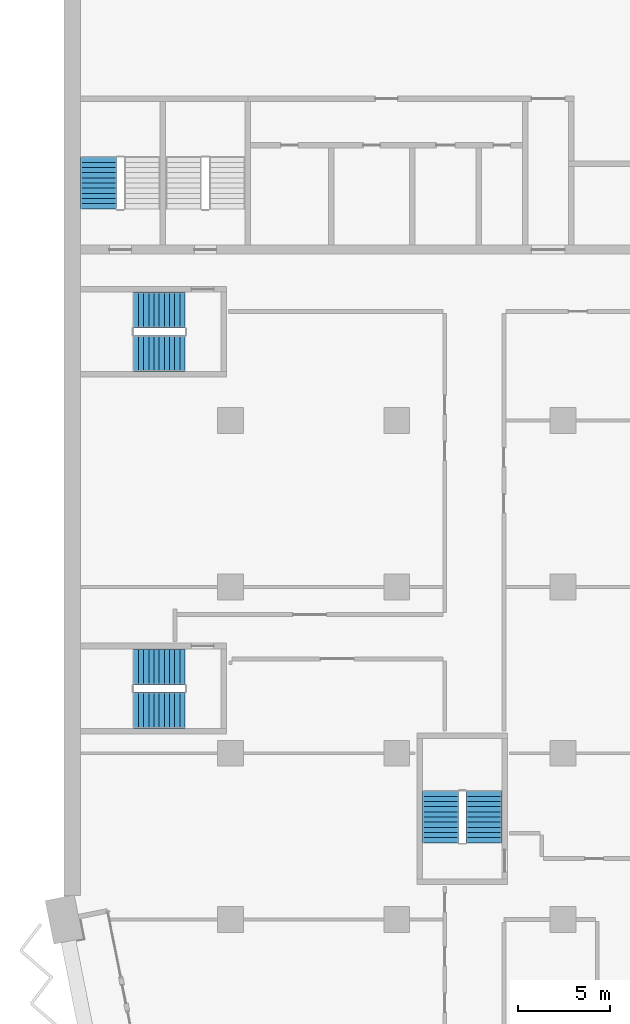
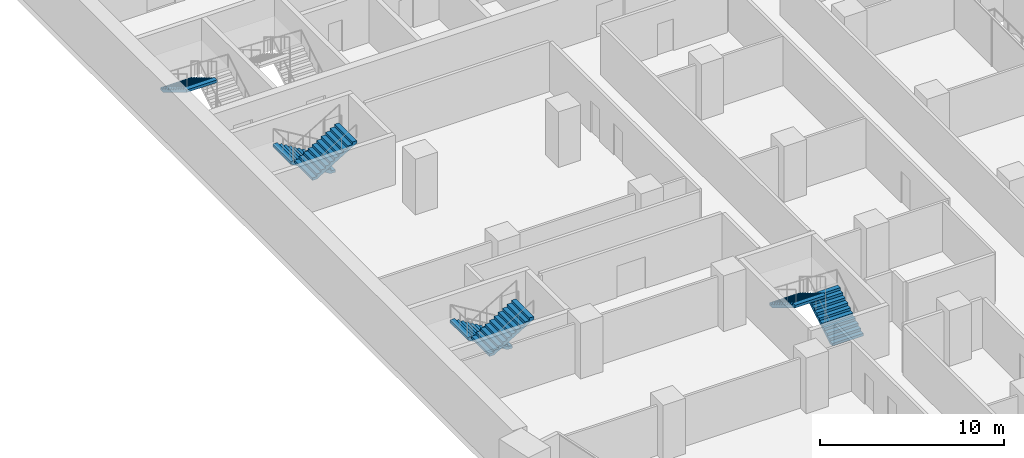
# One storey, part 19 of 28: 7 stair flights, 4 elements without a shape of their own.
"""IFC4 building model written with IfcOpenShell, lengths in metres."""

import ifcopenshell
import ifcopenshell.guid

model = None  # the IFC model being written
_history = None  # IfcOwnerHistory: only IFC2X3 demands one
_inside = {}  # id of a spatial element -> (the spatial element, [elements in it])
_under = {}  # id of a project, library or spatial element -> (it, [spatial elements below it])
_declared = {}  # id of a project -> (the project, [libraries it declares])
_typed = {}  # id of a type object -> (the type object, [elements of that type])
_made_of = {}  # id of a material, layer set ... -> (it, [elements and type objects made of it])


def new_model(schema):
    """Start an empty IFC model of exactly this schema.

    Asked for "IFC4X3", IfcOpenShell would pick the latest addendum, in which some entities
    have other attributes; the version numbers below select the first issue.
    IFC2X3 requires an IfcOwnerHistory on every rooted entity: one is made here for all.
    """
    global model, _history
    if schema == "IFC4X3":
        model = ifcopenshell.file(schema_version=(4, 3, 0, 0))
    else:
        model = ifcopenshell.file(schema=schema)
    _inside.clear()
    _under.clear()
    _declared.clear()
    _typed.clear()
    _made_of.clear()
    _history = None
    if model.schema == "IFC2X3":
        org = make("IfcOrganization", Name="unknown")
        user = make(
            "IfcPersonAndOrganization",
            ThePerson=make("IfcPerson", FamilyName="unknown"),
            TheOrganization=org,
        )
        app = make(
            "IfcApplication",
            ApplicationDeveloper=org,
            Version="unknown",
            ApplicationFullName="unknown",
            ApplicationIdentifier="unknown",
        )
        _history = make(
            "IfcOwnerHistory",
            OwningUser=user,
            OwningApplication=app,
            ChangeAction="ADDED",
            CreationDate=0,
        )
    return model


def make(cls, **values):
    """One entity of the class cls with the attributes given. An attribute that is None is left unset."""
    return model.create_entity(
        cls, **{name: value for name, value in values.items() if value is not None}
    )


def rooted(cls, **values):
    """An entity with a GlobalId (a new one), such as an element, a storey or a relation."""
    return make(cls, GlobalId=ifcopenshell.guid.new(), OwnerHistory=_history, **values)


def si_unit(unit_type, name, prefix=None):
    """IfcSIUnit, for example si_unit("LENGTHUNIT", "METRE", prefix="MILLI")."""
    return make("IfcSIUnit", UnitType=unit_type, Prefix=prefix, Name=name)


def assignment(units):
    """IfcUnitAssignment: the units of a project."""
    return None if units is None else make("IfcUnitAssignment", Units=units)


def point(xyz):
    """IfcCartesianPoint."""
    return None if xyz is None else make("IfcCartesianPoint", Coordinates=xyz)


def direction(xyz):
    """IfcDirection."""
    return None if xyz is None else make("IfcDirection", DirectionRatios=xyz)


def frame(location, z_axis=None, x_axis=None):
    """IfcAxis2Placement3D, a coordinate frame: its origin and axes. An axis left out is left unset."""
    return make(
        "IfcAxis2Placement3D",
        Location=point(location),
        Axis=direction(z_axis),
        RefDirection=direction(x_axis),
    )


def origin():
    """The frame at (0, 0, 0) with its axes left unset."""
    return frame((0.0, 0.0, 0.0))


def place(relative_to, where):
    """IfcLocalPlacement: puts the frame where relative to a parent placement (None: the world)."""
    return make(
        "IfcLocalPlacement", PlacementRelTo=relative_to, RelativePlacement=where
    )


def context(
    kind, dimensions, precision=None, world=None, true_north=None, identifier=None
):
    """IfcGeometricRepresentationContext, for example the 3D "Model" context."""
    return make(
        "IfcGeometricRepresentationContext",
        ContextIdentifier=identifier,
        ContextType=kind,
        CoordinateSpaceDimension=dimensions,
        Precision=precision,
        WorldCoordinateSystem=world,
        TrueNorth=true_north,
    )


def subcontext(parent, identifier, kind, view, scale=None):
    """IfcGeometricRepresentationSubContext, for example "Body" below "Model"."""
    return make(
        "IfcGeometricRepresentationSubContext",
        ContextIdentifier=identifier,
        ContextType=kind,
        ParentContext=parent,
        TargetScale=scale,
        TargetView=view,
    )


def project(units=None, contexts=None):
    """IfcProject with its units and contexts."""
    return rooted(
        "IfcProject",
        Name="project",
        RepresentationContexts=contexts,
        UnitsInContext=assignment(units),
    )


def spatial(cls, under=None, at=None, **own):
    """A site, building, storey or space (cls), placed at a placement, below another one or the project."""
    s = rooted(cls, ObjectPlacement=at, **own)
    if under is not None:
        _under.setdefault(under.id(), (under, []))[1].append(s)
    return s


def polyline(points):
    """IfcPolyline through the points."""
    return make("IfcPolyline", Points=[point(p) for p in points])


def outline(outer, holes=None, kind="AREA"):
    """IfcArbitraryClosedProfileDef: a profile drawn as a closed curve; with holes, ...WithVoids."""
    if holes is None:
        return make("IfcArbitraryClosedProfileDef", ProfileType=kind, OuterCurve=outer)
    return make(
        "IfcArbitraryProfileDefWithVoids",
        ProfileType=kind,
        OuterCurve=outer,
        InnerCurves=holes,
    )


def extrude(swept, where, along, depth):
    """IfcExtrudedAreaSolid: the profile swept, set in the frame where, extruded along a direction by depth."""
    return make(
        "IfcExtrudedAreaSolid",
        SweptArea=swept,
        Position=where,
        ExtrudedDirection=direction(along),
        Depth=depth,
    )


def shape(context_of_items, identifier, shape_type, items):
    """IfcShapeRepresentation: the items that make up one representation, for example the "Body"."""
    return make(
        "IfcShapeRepresentation",
        ContextOfItems=context_of_items,
        RepresentationIdentifier=identifier,
        RepresentationType=shape_type,
        Items=items,
    )


def material(Name=None, Category=None):
    """IfcMaterial."""
    return make("IfcMaterial", Name=Name, Category=Category)


def made_of(thing, what):
    """Note that an element or type object is made of a material, layer set ...; save() writes the relation."""
    if what is not None:
        _made_of.setdefault(what.id(), (what, []))[1].append(thing)
    return thing


def type_object(cls, material=None, **own):
    """A type object (cls), such as IfcWallType, which elements share."""
    return made_of(rooted(cls, **own), material)


def element(
    cls,
    number,
    at=None,
    inside=None,
    cuts=None,
    type_object=None,
    material=None,
    context=None,
    identifier="Body",
    shape_type=None,
    held_by="IfcProductDefinitionShape",
    body=None,
    shapes=None,
    **own,
):
    """One element of the class cls, such as IfcWall. Its Tag is "e" and its number.

    at: its placement. inside: the storey or other place that contains it. cuts: it is an
    opening in that element (IfcRelVoidsElement). A single representation is given by context,
    identifier, shape_type and body (its items); several are given by shapes. held_by: the class
    of the entity that holds the representations. save() writes the other relations.
    """
    e = rooted(cls, Tag="e%d" % number, ObjectPlacement=at, **own)
    if body is not None:
        shapes = [shape(context, identifier, shape_type, body)]
    if shapes is not None:
        e.Representation = make(held_by, Representations=shapes)
    if inside is not None:
        _inside.setdefault(inside.id(), (inside, []))[1].append(e)
    if cuts is not None:
        rooted(
            "IfcRelVoidsElement", RelatingBuildingElement=cuts, RelatedOpeningElement=e
        )
    if type_object is not None:
        _typed.setdefault(type_object.id(), (type_object, []))[1].append(e)
    return made_of(e, material)


def aggregate(whole, parts):
    """IfcRelAggregates: a whole, such as a stair, and the parts it consists of."""
    return rooted("IfcRelAggregates", RelatingObject=whole, RelatedObjects=parts)


def save(model, path):
    """Write the relations noted so far, then the file.

    IfcRelAggregates (storeys below a building ...), IfcRelContainedInSpatialStructure (elements
    in a storey), IfcRelDefinesByType, IfcRelAssociatesMaterial and IfcRelDeclares: one each for
    every whole, place, type object, material and project.
    """
    for whole, parts in _under.values():
        aggregate(whole, parts)
    for where, things in _inside.values():
        rooted(
            "IfcRelContainedInSpatialStructure",
            RelatedElements=things,
            RelatingStructure=where,
        )
    for kind, things in _typed.values():
        rooted("IfcRelDefinesByType", RelatedObjects=things, RelatingType=kind)
    for what, things in _made_of.values():
        rooted("IfcRelAssociatesMaterial", RelatedObjects=things, RelatingMaterial=what)
    for by, libraries in _declared.values():
        rooted("IfcRelDeclares", RelatingContext=by, RelatedDefinitions=libraries)
    model.write(path)


model = new_model("IFC4")

# Units and contexts
model_context = context("Model", 3, precision=1e-05, world=origin(), true_north=direction((0.0, 1.0)))
body_context = subcontext(model_context, "Body", "Model", "MODEL_VIEW")
ifc_project = project(units=[si_unit("LENGTHUNIT", "METRE"), si_unit("AREAUNIT", "SQUARE_METRE"), si_unit("VOLUMEUNIT", "CUBIC_METRE"), si_unit("PLANEANGLEUNIT", "RADIAN"), si_unit("MASSUNIT", "GRAM", prefix="KILO")], contexts=[model_context])

# Site, building, storey
site_placement = place(None, origin())
site = spatial("IfcSite", under=ifc_project, at=site_placement, CompositionType="ELEMENT")
building_placement = place(site_placement, origin())
building = spatial("IfcBuilding", under=site, at=building_placement, Name="Hunhe Ridgeline Campus", CompositionType="ELEMENT")
storey_placement = place(building_placement, frame((0.0, 0.0, 61.699951171875)))
storey = spatial("IfcBuildingStorey", under=building, at=storey_placement, Name="L14", CompositionType="ELEMENT", Elevation=61.699951171875)

# Stair, stair flight
ifc_material = material(Name="Concrete C40", Category="concrete")
stair_type = type_object("IfcStairType", Name="Reinforced concrete dog-leg stair 1950 Concrete C40", PredefinedType="HALF_TURN_STAIR", material=ifc_material)
stair_1_placement = place(storey_placement, origin())
stair_1 = element("IfcStair", 1, at=stair_1_placement, inside=storey, type_object=stair_type, Name="L14 S3", PredefinedType="HALF_TURN_STAIR")
stair_flight_type = type_object("IfcStairFlightType", Name="Reinforced concrete stair flight 1950 Concrete C40", PredefinedType="STRAIGHT", material=ifc_material)
stair_flight_1_placement = place(storey_placement, frame((1.875, 68.25, 1.85009765625), z_axis=(0.0, 0.0, 1.0), x_axis=(0.0, -1.0, 0.0)))
stair_flight_1 = element("IfcStairFlight", 2, at=stair_flight_1_placement, type_object=stair_flight_type, Name="ST3 flight 2", NumberOfRisers=11, NumberOfTreads=10, PredefinedType="STRAIGHT", RiserHeight=0.168181818, TreadLength=0.28, context=body_context, shape_type="SweptSolid", body=[
    extrude(outline(polyline([(0.0, 0.0), (0.0, 0.168212890625), (0.280029296875, 0.168212890625), (0.280029296875, 0.33642578125), (0.56005859375, 0.33642578125), (0.56005859375, 0.504638671875), (0.840087890625, 0.504638671875), (0.840087890625, 0.672607421875), (1.1201171875, 0.672607421875), (1.1201171875, 0.8408203125), (1.39990234375, 0.8408203125), (1.39990234375, 1.009033203125), (1.679931640625, 1.009033203125), (1.679931640625, 1.17724609375), (1.9599609375, 1.17724609375), (1.9599609375, 1.345458984375), (2.239990234375, 1.345458984375), (2.239990234375, 1.513671875), (2.52001953125, 1.513671875), (2.52001953125, 1.681884765625), (2.800048828125, 1.681884765625), (2.800048828125, 1.85009765625), (2.800048828125, 1.5068359375), (0.291015625, 0.0), (0.0, 0.0)])), frame((0.0, 0.97509765625, 0.0), z_axis=(0.0, -1.0, 0.0), x_axis=(1.0, 0.0, 0.0)), (0.0, 0.0, 1.0), 1.949951171875),
    extrude(outline(polyline([(0.030029296875, 0.030029296875), (0.030029296875, 0.13818359375), (0.31005859375, 0.13818359375), (0.31005859375, 0.306396484375), (0.590087890625, 0.306396484375), (0.590087890625, 0.474609375), (0.8701171875, 0.474609375), (0.8701171875, 0.642578125), (1.14990234375, 0.642578125), (1.14990234375, 0.810791015625), (1.429931640625, 0.810791015625), (1.429931640625, 0.97900390625), (1.7099609375, 0.97900390625), (1.7099609375, 1.147216796875), (1.989990234375, 1.147216796875), (1.989990234375, 1.3154296875), (2.27001953125, 1.3154296875), (2.27001953125, 1.483642578125), (2.550048828125, 1.483642578125), (2.550048828125, 1.65185546875), (2.77001953125, 1.65185546875), (2.77001953125, 1.52392578125), (0.28271484375, 0.030029296875), (0.030029296875, 0.030029296875)])), frame((0.0, -0.070068359375, 0.0), z_axis=(0.0, -1.0, 0.0), x_axis=(1.0, 0.0, 0.0)), (0.0, 0.0, 1.0), 0.019775390625),
    extrude(outline(polyline([(0.030029296875, 0.030029296875), (0.030029296875, 0.13818359375), (0.31005859375, 0.13818359375), (0.31005859375, 0.306396484375), (0.590087890625, 0.306396484375), (0.590087890625, 0.474609375), (0.8701171875, 0.474609375), (0.8701171875, 0.642578125), (1.14990234375, 0.642578125), (1.14990234375, 0.810791015625), (1.429931640625, 0.810791015625), (1.429931640625, 0.97900390625), (1.7099609375, 0.97900390625), (1.7099609375, 1.147216796875), (1.989990234375, 1.147216796875), (1.989990234375, 1.3154296875), (2.27001953125, 1.3154296875), (2.27001953125, 1.483642578125), (2.550048828125, 1.483642578125), (2.550048828125, 1.65185546875), (2.77001953125, 1.65185546875), (2.77001953125, 1.52392578125), (0.28271484375, 0.030029296875), (0.030029296875, 0.030029296875)])), frame((0.0, 0.010009765625, 0.0), z_axis=(0.0, -1.0, 0.0), x_axis=(1.0, 0.0, 0.0)), (0.0, 0.0, 1.0), 0.019775390625),
    extrude(outline(polyline([(0.030029296875, 0.030029296875), (0.030029296875, 0.13818359375), (0.31005859375, 0.13818359375), (0.31005859375, 0.306396484375), (0.590087890625, 0.306396484375), (0.590087890625, 0.474609375), (0.8701171875, 0.474609375), (0.8701171875, 0.642578125), (1.14990234375, 0.642578125), (1.14990234375, 0.810791015625), (1.429931640625, 0.810791015625), (1.429931640625, 0.97900390625), (1.7099609375, 0.97900390625), (1.7099609375, 1.147216796875), (1.989990234375, 1.147216796875), (1.989990234375, 1.3154296875), (2.27001953125, 1.3154296875), (2.27001953125, 1.483642578125), (2.550048828125, 1.483642578125), (2.550048828125, 1.65185546875), (2.77001953125, 1.65185546875), (2.77001953125, 1.52392578125), (0.28271484375, 0.030029296875), (0.030029296875, 0.030029296875)])), frame((0.0, 0.090087890625, 0.0), z_axis=(0.0, -1.0, 0.0), x_axis=(1.0, 0.0, 0.0)), (0.0, 0.0, 1.0), 0.019775390625),
])
aggregate(stair_1, [stair_flight_1])

# Stair, stair flights
stair_2_placement = place(storey_placement, origin())
stair_2 = element("IfcStair", 3, at=stair_2_placement, inside=storey, type_object=stair_type, Name="L14 W3", PredefinedType="HALF_TURN_STAIR")
stair_flight_2_placement = place(storey_placement, frame((22.72509765625, 31.14990234375, 0.0), z_axis=(0.0, 0.0, 1.0), x_axis=(0.0, 1.0, 0.0)))
stair_flight_2 = element("IfcStairFlight", 4, at=stair_flight_2_placement, type_object=stair_flight_type, Name="ST9 flight 1", NumberOfRisers=11, NumberOfTreads=10, PredefinedType="STRAIGHT", RiserHeight=0.168181818, TreadLength=0.28, context=body_context, shape_type="SweptSolid", body=[
    extrude(outline(polyline([(0.0, 0.0), (0.0, 0.168212890625), (0.280029296875, 0.168212890625), (0.280029296875, 0.33642578125), (0.56005859375, 0.33642578125), (0.56005859375, 0.504638671875), (0.840087890625, 0.504638671875), (0.840087890625, 0.672607421875), (1.1201171875, 0.672607421875), (1.1201171875, 0.8408203125), (1.39990234375, 0.8408203125), (1.39990234375, 1.009033203125), (1.679931640625, 1.009033203125), (1.679931640625, 1.17724609375), (1.9599609375, 1.17724609375), (1.9599609375, 1.345458984375), (2.239990234375, 1.345458984375), (2.239990234375, 1.513671875), (2.52001953125, 1.513671875), (2.52001953125, 1.681884765625), (2.800048828125, 1.681884765625), (2.800048828125, 1.85009765625), (2.800048828125, 1.5068359375), (0.291015625, 0.0), (0.0, 0.0)])), frame((0.0, 0.97509765625, 0.0), z_axis=(0.0, -1.0, 0.0), x_axis=(1.0, 0.0, 0.0)), (0.0, 0.0, 1.0), 1.949951171875),
    extrude(outline(polyline([(0.030029296875, 0.030029296875), (0.030029296875, 0.13818359375), (0.31005859375, 0.13818359375), (0.31005859375, 0.306396484375), (0.590087890625, 0.306396484375), (0.590087890625, 0.474609375), (0.8701171875, 0.474609375), (0.8701171875, 0.642578125), (1.14990234375, 0.642578125), (1.14990234375, 0.810791015625), (1.429931640625, 0.810791015625), (1.429931640625, 0.97900390625), (1.7099609375, 0.97900390625), (1.7099609375, 1.147216796875), (1.989990234375, 1.147216796875), (1.989990234375, 1.3154296875), (2.27001953125, 1.3154296875), (2.27001953125, 1.483642578125), (2.550048828125, 1.483642578125), (2.550048828125, 1.65185546875), (2.77001953125, 1.65185546875), (2.77001953125, 1.52392578125), (0.28271484375, 0.030029296875), (0.030029296875, 0.030029296875)])), frame((0.0, -0.070068359375, 0.0), z_axis=(0.0, -1.0, 0.0), x_axis=(1.0, 0.0, 0.0)), (0.0, 0.0, 1.0), 0.019775390625),
    extrude(outline(polyline([(0.030029296875, 0.030029296875), (0.030029296875, 0.13818359375), (0.31005859375, 0.13818359375), (0.31005859375, 0.306396484375), (0.590087890625, 0.306396484375), (0.590087890625, 0.474609375), (0.8701171875, 0.474609375), (0.8701171875, 0.642578125), (1.14990234375, 0.642578125), (1.14990234375, 0.810791015625), (1.429931640625, 0.810791015625), (1.429931640625, 0.97900390625), (1.7099609375, 0.97900390625), (1.7099609375, 1.147216796875), (1.989990234375, 1.147216796875), (1.989990234375, 1.3154296875), (2.27001953125, 1.3154296875), (2.27001953125, 1.483642578125), (2.550048828125, 1.483642578125), (2.550048828125, 1.65185546875), (2.77001953125, 1.65185546875), (2.77001953125, 1.52392578125), (0.28271484375, 0.030029296875), (0.030029296875, 0.030029296875)])), frame((0.0, 0.010009765625, 0.0), z_axis=(0.0, -1.0, 0.0), x_axis=(1.0, 0.0, 0.0)), (0.0, 0.0, 1.0), 0.019775390625),
    extrude(outline(polyline([(0.030029296875, 0.030029296875), (0.030029296875, 0.13818359375), (0.31005859375, 0.13818359375), (0.31005859375, 0.306396484375), (0.590087890625, 0.306396484375), (0.590087890625, 0.474609375), (0.8701171875, 0.474609375), (0.8701171875, 0.642578125), (1.14990234375, 0.642578125), (1.14990234375, 0.810791015625), (1.429931640625, 0.810791015625), (1.429931640625, 0.97900390625), (1.7099609375, 0.97900390625), (1.7099609375, 1.147216796875), (1.989990234375, 1.147216796875), (1.989990234375, 1.3154296875), (2.27001953125, 1.3154296875), (2.27001953125, 1.483642578125), (2.550048828125, 1.483642578125), (2.550048828125, 1.65185546875), (2.77001953125, 1.65185546875), (2.77001953125, 1.52392578125), (0.28271484375, 0.030029296875), (0.030029296875, 0.030029296875)])), frame((0.0, 0.090087890625, 0.0), z_axis=(0.0, -1.0, 0.0), x_axis=(1.0, 0.0, 0.0)), (0.0, 0.0, 1.0), 0.019775390625),
])
stair_flight_3_placement = place(storey_placement, frame((20.375, 33.949951171875, 1.85009765625), z_axis=(0.0, 0.0, 1.0), x_axis=(0.0, -1.0, 0.0)))
stair_flight_3 = element("IfcStairFlight", 5, at=stair_flight_3_placement, type_object=stair_flight_type, Name="ST9 flight 2", NumberOfRisers=11, NumberOfTreads=10, PredefinedType="STRAIGHT", RiserHeight=0.168181818, TreadLength=0.28, context=body_context, shape_type="SweptSolid", body=[
    extrude(outline(polyline([(0.0, 0.0), (0.0, 0.168212890625), (0.280029296875, 0.168212890625), (0.280029296875, 0.33642578125), (0.56005859375, 0.33642578125), (0.56005859375, 0.504638671875), (0.840087890625, 0.504638671875), (0.840087890625, 0.672607421875), (1.1201171875, 0.672607421875), (1.1201171875, 0.8408203125), (1.39990234375, 0.8408203125), (1.39990234375, 1.009033203125), (1.679931640625, 1.009033203125), (1.679931640625, 1.17724609375), (1.9599609375, 1.17724609375), (1.9599609375, 1.345458984375), (2.239990234375, 1.345458984375), (2.239990234375, 1.513671875), (2.52001953125, 1.513671875), (2.52001953125, 1.681884765625), (2.800048828125, 1.681884765625), (2.800048828125, 1.85009765625), (2.800048828125, 1.5068359375), (0.291015625, 0.0), (0.0, 0.0)])), frame((0.0, 0.97509765625, 0.0), z_axis=(0.0, -1.0, 0.0), x_axis=(1.0, 0.0, 0.0)), (0.0, 0.0, 1.0), 1.949951171875),
    extrude(outline(polyline([(0.030029296875, 0.030029296875), (0.030029296875, 0.13818359375), (0.31005859375, 0.13818359375), (0.31005859375, 0.306396484375), (0.590087890625, 0.306396484375), (0.590087890625, 0.474609375), (0.8701171875, 0.474609375), (0.8701171875, 0.642578125), (1.14990234375, 0.642578125), (1.14990234375, 0.810791015625), (1.429931640625, 0.810791015625), (1.429931640625, 0.97900390625), (1.7099609375, 0.97900390625), (1.7099609375, 1.147216796875), (1.989990234375, 1.147216796875), (1.989990234375, 1.3154296875), (2.27001953125, 1.3154296875), (2.27001953125, 1.483642578125), (2.550048828125, 1.483642578125), (2.550048828125, 1.65185546875), (2.77001953125, 1.65185546875), (2.77001953125, 1.52392578125), (0.28271484375, 0.030029296875), (0.030029296875, 0.030029296875)])), frame((0.0, -0.070068359375, 0.0), z_axis=(0.0, -1.0, 0.0), x_axis=(1.0, 0.0, 0.0)), (0.0, 0.0, 1.0), 0.019775390625),
    extrude(outline(polyline([(0.030029296875, 0.030029296875), (0.030029296875, 0.13818359375), (0.31005859375, 0.13818359375), (0.31005859375, 0.306396484375), (0.590087890625, 0.306396484375), (0.590087890625, 0.474609375), (0.8701171875, 0.474609375), (0.8701171875, 0.642578125), (1.14990234375, 0.642578125), (1.14990234375, 0.810791015625), (1.429931640625, 0.810791015625), (1.429931640625, 0.97900390625), (1.7099609375, 0.97900390625), (1.7099609375, 1.147216796875), (1.989990234375, 1.147216796875), (1.989990234375, 1.3154296875), (2.27001953125, 1.3154296875), (2.27001953125, 1.483642578125), (2.550048828125, 1.483642578125), (2.550048828125, 1.65185546875), (2.77001953125, 1.65185546875), (2.77001953125, 1.52392578125), (0.28271484375, 0.030029296875), (0.030029296875, 0.030029296875)])), frame((0.0, 0.010009765625, 0.0), z_axis=(0.0, -1.0, 0.0), x_axis=(1.0, 0.0, 0.0)), (0.0, 0.0, 1.0), 0.019775390625),
    extrude(outline(polyline([(0.030029296875, 0.030029296875), (0.030029296875, 0.13818359375), (0.31005859375, 0.13818359375), (0.31005859375, 0.306396484375), (0.590087890625, 0.306396484375), (0.590087890625, 0.474609375), (0.8701171875, 0.474609375), (0.8701171875, 0.642578125), (1.14990234375, 0.642578125), (1.14990234375, 0.810791015625), (1.429931640625, 0.810791015625), (1.429931640625, 0.97900390625), (1.7099609375, 0.97900390625), (1.7099609375, 1.147216796875), (1.989990234375, 1.147216796875), (1.989990234375, 1.3154296875), (2.27001953125, 1.3154296875), (2.27001953125, 1.483642578125), (2.550048828125, 1.483642578125), (2.550048828125, 1.65185546875), (2.77001953125, 1.65185546875), (2.77001953125, 1.52392578125), (0.28271484375, 0.030029296875), (0.030029296875, 0.030029296875)])), frame((0.0, 0.090087890625, 0.0), z_axis=(0.0, -1.0, 0.0), x_axis=(1.0, 0.0, 0.0)), (0.0, 0.0, 1.0), 0.019775390625),
])
aggregate(stair_2, [stair_flight_2, stair_flight_3])

stair_3_placement = place(storey_placement, origin())
stair_3 = element("IfcStair", 6, at=stair_3_placement, inside=storey, type_object=stair_type, Name="L14 W1", PredefinedType="HALF_TURN_STAIR")
stair_flight_4_placement = place(storey_placement, frame((6.550048828125, 40.675048828125, 0.0), z_axis=(0.0, 0.0, 1.0), x_axis=(-1.0, 0.0, 0.0)))
stair_flight_4 = element("IfcStairFlight", 7, at=stair_flight_4_placement, type_object=stair_flight_type, Name="ST11 flight 1", NumberOfRisers=11, NumberOfTreads=10, PredefinedType="STRAIGHT", RiserHeight=0.168181818, TreadLength=0.28, context=body_context, shape_type="SweptSolid", body=[
    extrude(outline(polyline([(0.0, 0.0), (0.0, 0.168212890625), (0.280029296875, 0.168212890625), (0.280029296875, 0.33642578125), (0.56005859375, 0.33642578125), (0.56005859375, 0.504638671875), (0.840087890625, 0.504638671875), (0.840087890625, 0.672607421875), (1.1201171875, 0.672607421875), (1.1201171875, 0.8408203125), (1.39990234375, 0.8408203125), (1.39990234375, 1.009033203125), (1.679931640625, 1.009033203125), (1.679931640625, 1.17724609375), (1.9599609375, 1.17724609375), (1.9599609375, 1.345458984375), (2.239990234375, 1.345458984375), (2.239990234375, 1.513671875), (2.52001953125, 1.513671875), (2.52001953125, 1.681884765625), (2.800048828125, 1.681884765625), (2.800048828125, 1.85009765625), (2.800048828125, 1.5068359375), (0.291015625, 0.0), (0.0, 0.0)])), frame((0.0, 0.97509765625, 0.0), z_axis=(0.0, -1.0, 0.0), x_axis=(1.0, 0.0, 0.0)), (0.0, 0.0, 1.0), 1.949951171875),
    extrude(outline(polyline([(0.030029296875, 0.030029296875), (0.030029296875, 0.13818359375), (0.31005859375, 0.13818359375), (0.31005859375, 0.306396484375), (0.590087890625, 0.306396484375), (0.590087890625, 0.474609375), (0.8701171875, 0.474609375), (0.8701171875, 0.642578125), (1.14990234375, 0.642578125), (1.14990234375, 0.810791015625), (1.429931640625, 0.810791015625), (1.429931640625, 0.97900390625), (1.7099609375, 0.97900390625), (1.7099609375, 1.147216796875), (1.989990234375, 1.147216796875), (1.989990234375, 1.3154296875), (2.27001953125, 1.3154296875), (2.27001953125, 1.483642578125), (2.550048828125, 1.483642578125), (2.550048828125, 1.65185546875), (2.77001953125, 1.65185546875), (2.77001953125, 1.52392578125), (0.28271484375, 0.030029296875), (0.030029296875, 0.030029296875)])), frame((0.0, -0.070068359375, 0.0), z_axis=(0.0, -1.0, 0.0), x_axis=(1.0, 0.0, 0.0)), (0.0, 0.0, 1.0), 0.019775390625),
    extrude(outline(polyline([(0.030029296875, 0.030029296875), (0.030029296875, 0.13818359375), (0.31005859375, 0.13818359375), (0.31005859375, 0.306396484375), (0.590087890625, 0.306396484375), (0.590087890625, 0.474609375), (0.8701171875, 0.474609375), (0.8701171875, 0.642578125), (1.14990234375, 0.642578125), (1.14990234375, 0.810791015625), (1.429931640625, 0.810791015625), (1.429931640625, 0.97900390625), (1.7099609375, 0.97900390625), (1.7099609375, 1.147216796875), (1.989990234375, 1.147216796875), (1.989990234375, 1.3154296875), (2.27001953125, 1.3154296875), (2.27001953125, 1.483642578125), (2.550048828125, 1.483642578125), (2.550048828125, 1.65185546875), (2.77001953125, 1.65185546875), (2.77001953125, 1.52392578125), (0.28271484375, 0.030029296875), (0.030029296875, 0.030029296875)])), frame((0.0, 0.010009765625, 0.0), z_axis=(0.0, -1.0, 0.0), x_axis=(1.0, 0.0, 0.0)), (0.0, 0.0, 1.0), 0.019775390625),
    extrude(outline(polyline([(0.030029296875, 0.030029296875), (0.030029296875, 0.13818359375), (0.31005859375, 0.13818359375), (0.31005859375, 0.306396484375), (0.590087890625, 0.306396484375), (0.590087890625, 0.474609375), (0.8701171875, 0.474609375), (0.8701171875, 0.642578125), (1.14990234375, 0.642578125), (1.14990234375, 0.810791015625), (1.429931640625, 0.810791015625), (1.429931640625, 0.97900390625), (1.7099609375, 0.97900390625), (1.7099609375, 1.147216796875), (1.989990234375, 1.147216796875), (1.989990234375, 1.3154296875), (2.27001953125, 1.3154296875), (2.27001953125, 1.483642578125), (2.550048828125, 1.483642578125), (2.550048828125, 1.65185546875), (2.77001953125, 1.65185546875), (2.77001953125, 1.52392578125), (0.28271484375, 0.030029296875), (0.030029296875, 0.030029296875)])), frame((0.0, 0.090087890625, 0.0), z_axis=(0.0, -1.0, 0.0), x_axis=(1.0, 0.0, 0.0)), (0.0, 0.0, 1.0), 0.019775390625),
])
stair_flight_5_placement = place(storey_placement, frame((3.75, 38.324951171875, 1.85009765625), z_axis=(0.0, 0.0, 1.0), x_axis=(1.0, 0.0, 0.0)))
stair_flight_5 = element("IfcStairFlight", 8, at=stair_flight_5_placement, type_object=stair_flight_type, Name="ST11 flight 2", NumberOfRisers=11, NumberOfTreads=10, PredefinedType="STRAIGHT", RiserHeight=0.168181818, TreadLength=0.28, context=body_context, shape_type="SweptSolid", body=[
    extrude(outline(polyline([(0.0, 0.0), (0.0, 0.168212890625), (0.280029296875, 0.168212890625), (0.280029296875, 0.33642578125), (0.56005859375, 0.33642578125), (0.56005859375, 0.504638671875), (0.840087890625, 0.504638671875), (0.840087890625, 0.672607421875), (1.1201171875, 0.672607421875), (1.1201171875, 0.8408203125), (1.39990234375, 0.8408203125), (1.39990234375, 1.009033203125), (1.679931640625, 1.009033203125), (1.679931640625, 1.17724609375), (1.9599609375, 1.17724609375), (1.9599609375, 1.345458984375), (2.239990234375, 1.345458984375), (2.239990234375, 1.513671875), (2.52001953125, 1.513671875), (2.52001953125, 1.681884765625), (2.800048828125, 1.681884765625), (2.800048828125, 1.85009765625), (2.800048828125, 1.5068359375), (0.291015625, 0.0), (0.0, 0.0)])), frame((0.0, 0.97509765625, 0.0), z_axis=(0.0, -1.0, 0.0), x_axis=(1.0, 0.0, 0.0)), (0.0, 0.0, 1.0), 1.949951171875),
    extrude(outline(polyline([(0.030029296875, 0.030029296875), (0.030029296875, 0.13818359375), (0.31005859375, 0.13818359375), (0.31005859375, 0.306396484375), (0.590087890625, 0.306396484375), (0.590087890625, 0.474609375), (0.8701171875, 0.474609375), (0.8701171875, 0.642578125), (1.14990234375, 0.642578125), (1.14990234375, 0.810791015625), (1.429931640625, 0.810791015625), (1.429931640625, 0.97900390625), (1.7099609375, 0.97900390625), (1.7099609375, 1.147216796875), (1.989990234375, 1.147216796875), (1.989990234375, 1.3154296875), (2.27001953125, 1.3154296875), (2.27001953125, 1.483642578125), (2.550048828125, 1.483642578125), (2.550048828125, 1.65185546875), (2.77001953125, 1.65185546875), (2.77001953125, 1.52392578125), (0.28271484375, 0.030029296875), (0.030029296875, 0.030029296875)])), frame((0.0, -0.070068359375, 0.0), z_axis=(0.0, -1.0, 0.0), x_axis=(1.0, 0.0, 0.0)), (0.0, 0.0, 1.0), 0.019775390625),
    extrude(outline(polyline([(0.030029296875, 0.030029296875), (0.030029296875, 0.13818359375), (0.31005859375, 0.13818359375), (0.31005859375, 0.306396484375), (0.590087890625, 0.306396484375), (0.590087890625, 0.474609375), (0.8701171875, 0.474609375), (0.8701171875, 0.642578125), (1.14990234375, 0.642578125), (1.14990234375, 0.810791015625), (1.429931640625, 0.810791015625), (1.429931640625, 0.97900390625), (1.7099609375, 0.97900390625), (1.7099609375, 1.147216796875), (1.989990234375, 1.147216796875), (1.989990234375, 1.3154296875), (2.27001953125, 1.3154296875), (2.27001953125, 1.483642578125), (2.550048828125, 1.483642578125), (2.550048828125, 1.65185546875), (2.77001953125, 1.65185546875), (2.77001953125, 1.52392578125), (0.28271484375, 0.030029296875), (0.030029296875, 0.030029296875)])), frame((0.0, 0.010009765625, 0.0), z_axis=(0.0, -1.0, 0.0), x_axis=(1.0, 0.0, 0.0)), (0.0, 0.0, 1.0), 0.019775390625),
    extrude(outline(polyline([(0.030029296875, 0.030029296875), (0.030029296875, 0.13818359375), (0.31005859375, 0.13818359375), (0.31005859375, 0.306396484375), (0.590087890625, 0.306396484375), (0.590087890625, 0.474609375), (0.8701171875, 0.474609375), (0.8701171875, 0.642578125), (1.14990234375, 0.642578125), (1.14990234375, 0.810791015625), (1.429931640625, 0.810791015625), (1.429931640625, 0.97900390625), (1.7099609375, 0.97900390625), (1.7099609375, 1.147216796875), (1.989990234375, 1.147216796875), (1.989990234375, 1.3154296875), (2.27001953125, 1.3154296875), (2.27001953125, 1.483642578125), (2.550048828125, 1.483642578125), (2.550048828125, 1.65185546875), (2.77001953125, 1.65185546875), (2.77001953125, 1.52392578125), (0.28271484375, 0.030029296875), (0.030029296875, 0.030029296875)])), frame((0.0, 0.090087890625, 0.0), z_axis=(0.0, -1.0, 0.0), x_axis=(1.0, 0.0, 0.0)), (0.0, 0.0, 1.0), 0.019775390625),
])
aggregate(stair_3, [stair_flight_4, stair_flight_5])

stair_4_placement = place(storey_placement, origin())
stair_4 = element("IfcStair", 9, at=stair_4_placement, inside=storey, type_object=stair_type, Name="L14 W2", PredefinedType="HALF_TURN_STAIR")
stair_flight_6_placement = place(storey_placement, frame((6.550048828125, 59.97509765625, 0.0), z_axis=(0.0, 0.0, 1.0), x_axis=(-1.0, 0.0, 0.0)))
stair_flight_6 = element("IfcStairFlight", 10, at=stair_flight_6_placement, type_object=stair_flight_type, Name="ST12 flight 1", NumberOfRisers=11, NumberOfTreads=10, PredefinedType="STRAIGHT", RiserHeight=0.168181818, TreadLength=0.28, context=body_context, shape_type="SweptSolid", body=[
    extrude(outline(polyline([(0.0, 0.0), (0.0, 0.168212890625), (0.280029296875, 0.168212890625), (0.280029296875, 0.33642578125), (0.56005859375, 0.33642578125), (0.56005859375, 0.504638671875), (0.840087890625, 0.504638671875), (0.840087890625, 0.672607421875), (1.1201171875, 0.672607421875), (1.1201171875, 0.8408203125), (1.39990234375, 0.8408203125), (1.39990234375, 1.009033203125), (1.679931640625, 1.009033203125), (1.679931640625, 1.17724609375), (1.9599609375, 1.17724609375), (1.9599609375, 1.345458984375), (2.239990234375, 1.345458984375), (2.239990234375, 1.513671875), (2.52001953125, 1.513671875), (2.52001953125, 1.681884765625), (2.800048828125, 1.681884765625), (2.800048828125, 1.85009765625), (2.800048828125, 1.5068359375), (0.291015625, 0.0), (0.0, 0.0)])), frame((0.0, 0.97509765625, 0.0), z_axis=(0.0, -1.0, 0.0), x_axis=(1.0, 0.0, 0.0)), (0.0, 0.0, 1.0), 1.949951171875),
    extrude(outline(polyline([(0.030029296875, 0.030029296875), (0.030029296875, 0.13818359375), (0.31005859375, 0.13818359375), (0.31005859375, 0.306396484375), (0.590087890625, 0.306396484375), (0.590087890625, 0.474609375), (0.8701171875, 0.474609375), (0.8701171875, 0.642578125), (1.14990234375, 0.642578125), (1.14990234375, 0.810791015625), (1.429931640625, 0.810791015625), (1.429931640625, 0.97900390625), (1.7099609375, 0.97900390625), (1.7099609375, 1.147216796875), (1.989990234375, 1.147216796875), (1.989990234375, 1.3154296875), (2.27001953125, 1.3154296875), (2.27001953125, 1.483642578125), (2.550048828125, 1.483642578125), (2.550048828125, 1.65185546875), (2.77001953125, 1.65185546875), (2.77001953125, 1.52392578125), (0.28271484375, 0.030029296875), (0.030029296875, 0.030029296875)])), frame((0.0, -0.070068359375, 0.0), z_axis=(0.0, -1.0, 0.0), x_axis=(1.0, 0.0, 0.0)), (0.0, 0.0, 1.0), 0.019775390625),
    extrude(outline(polyline([(0.030029296875, 0.030029296875), (0.030029296875, 0.13818359375), (0.31005859375, 0.13818359375), (0.31005859375, 0.306396484375), (0.590087890625, 0.306396484375), (0.590087890625, 0.474609375), (0.8701171875, 0.474609375), (0.8701171875, 0.642578125), (1.14990234375, 0.642578125), (1.14990234375, 0.810791015625), (1.429931640625, 0.810791015625), (1.429931640625, 0.97900390625), (1.7099609375, 0.97900390625), (1.7099609375, 1.147216796875), (1.989990234375, 1.147216796875), (1.989990234375, 1.3154296875), (2.27001953125, 1.3154296875), (2.27001953125, 1.483642578125), (2.550048828125, 1.483642578125), (2.550048828125, 1.65185546875), (2.77001953125, 1.65185546875), (2.77001953125, 1.52392578125), (0.28271484375, 0.030029296875), (0.030029296875, 0.030029296875)])), frame((0.0, 0.010009765625, 0.0), z_axis=(0.0, -1.0, 0.0), x_axis=(1.0, 0.0, 0.0)), (0.0, 0.0, 1.0), 0.019775390625),
    extrude(outline(polyline([(0.030029296875, 0.030029296875), (0.030029296875, 0.13818359375), (0.31005859375, 0.13818359375), (0.31005859375, 0.306396484375), (0.590087890625, 0.306396484375), (0.590087890625, 0.474609375), (0.8701171875, 0.474609375), (0.8701171875, 0.642578125), (1.14990234375, 0.642578125), (1.14990234375, 0.810791015625), (1.429931640625, 0.810791015625), (1.429931640625, 0.97900390625), (1.7099609375, 0.97900390625), (1.7099609375, 1.147216796875), (1.989990234375, 1.147216796875), (1.989990234375, 1.3154296875), (2.27001953125, 1.3154296875), (2.27001953125, 1.483642578125), (2.550048828125, 1.483642578125), (2.550048828125, 1.65185546875), (2.77001953125, 1.65185546875), (2.77001953125, 1.52392578125), (0.28271484375, 0.030029296875), (0.030029296875, 0.030029296875)])), frame((0.0, 0.090087890625, 0.0), z_axis=(0.0, -1.0, 0.0), x_axis=(1.0, 0.0, 0.0)), (0.0, 0.0, 1.0), 0.019775390625),
])
stair_flight_7_placement = place(storey_placement, frame((3.75, 57.625, 1.85009765625), z_axis=(0.0, 0.0, 1.0), x_axis=(1.0, 0.0, 0.0)))
stair_flight_7 = element("IfcStairFlight", 11, at=stair_flight_7_placement, type_object=stair_flight_type, Name="ST12 flight 2", NumberOfRisers=11, NumberOfTreads=10, PredefinedType="STRAIGHT", RiserHeight=0.168181818, TreadLength=0.28, context=body_context, shape_type="SweptSolid", body=[
    extrude(outline(polyline([(0.0, 0.0), (0.0, 0.168212890625), (0.280029296875, 0.168212890625), (0.280029296875, 0.33642578125), (0.56005859375, 0.33642578125), (0.56005859375, 0.504638671875), (0.840087890625, 0.504638671875), (0.840087890625, 0.672607421875), (1.1201171875, 0.672607421875), (1.1201171875, 0.8408203125), (1.39990234375, 0.8408203125), (1.39990234375, 1.009033203125), (1.679931640625, 1.009033203125), (1.679931640625, 1.17724609375), (1.9599609375, 1.17724609375), (1.9599609375, 1.345458984375), (2.239990234375, 1.345458984375), (2.239990234375, 1.513671875), (2.52001953125, 1.513671875), (2.52001953125, 1.681884765625), (2.800048828125, 1.681884765625), (2.800048828125, 1.85009765625), (2.800048828125, 1.5068359375), (0.291015625, 0.0), (0.0, 0.0)])), frame((0.0, 0.97509765625, 0.0), z_axis=(0.0, -1.0, 0.0), x_axis=(1.0, 0.0, 0.0)), (0.0, 0.0, 1.0), 1.949951171875),
    extrude(outline(polyline([(0.030029296875, 0.030029296875), (0.030029296875, 0.13818359375), (0.31005859375, 0.13818359375), (0.31005859375, 0.306396484375), (0.590087890625, 0.306396484375), (0.590087890625, 0.474609375), (0.8701171875, 0.474609375), (0.8701171875, 0.642578125), (1.14990234375, 0.642578125), (1.14990234375, 0.810791015625), (1.429931640625, 0.810791015625), (1.429931640625, 0.97900390625), (1.7099609375, 0.97900390625), (1.7099609375, 1.147216796875), (1.989990234375, 1.147216796875), (1.989990234375, 1.3154296875), (2.27001953125, 1.3154296875), (2.27001953125, 1.483642578125), (2.550048828125, 1.483642578125), (2.550048828125, 1.65185546875), (2.77001953125, 1.65185546875), (2.77001953125, 1.52392578125), (0.28271484375, 0.030029296875), (0.030029296875, 0.030029296875)])), frame((0.0, -0.070068359375, 0.0), z_axis=(0.0, -1.0, 0.0), x_axis=(1.0, 0.0, 0.0)), (0.0, 0.0, 1.0), 0.019775390625),
    extrude(outline(polyline([(0.030029296875, 0.030029296875), (0.030029296875, 0.13818359375), (0.31005859375, 0.13818359375), (0.31005859375, 0.306396484375), (0.590087890625, 0.306396484375), (0.590087890625, 0.474609375), (0.8701171875, 0.474609375), (0.8701171875, 0.642578125), (1.14990234375, 0.642578125), (1.14990234375, 0.810791015625), (1.429931640625, 0.810791015625), (1.429931640625, 0.97900390625), (1.7099609375, 0.97900390625), (1.7099609375, 1.147216796875), (1.989990234375, 1.147216796875), (1.989990234375, 1.3154296875), (2.27001953125, 1.3154296875), (2.27001953125, 1.483642578125), (2.550048828125, 1.483642578125), (2.550048828125, 1.65185546875), (2.77001953125, 1.65185546875), (2.77001953125, 1.52392578125), (0.28271484375, 0.030029296875), (0.030029296875, 0.030029296875)])), frame((0.0, 0.010009765625, 0.0), z_axis=(0.0, -1.0, 0.0), x_axis=(1.0, 0.0, 0.0)), (0.0, 0.0, 1.0), 0.019775390625),
    extrude(outline(polyline([(0.030029296875, 0.030029296875), (0.030029296875, 0.13818359375), (0.31005859375, 0.13818359375), (0.31005859375, 0.306396484375), (0.590087890625, 0.306396484375), (0.590087890625, 0.474609375), (0.8701171875, 0.474609375), (0.8701171875, 0.642578125), (1.14990234375, 0.642578125), (1.14990234375, 0.810791015625), (1.429931640625, 0.810791015625), (1.429931640625, 0.97900390625), (1.7099609375, 0.97900390625), (1.7099609375, 1.147216796875), (1.989990234375, 1.147216796875), (1.989990234375, 1.3154296875), (2.27001953125, 1.3154296875), (2.27001953125, 1.483642578125), (2.550048828125, 1.483642578125), (2.550048828125, 1.65185546875), (2.77001953125, 1.65185546875), (2.77001953125, 1.52392578125), (0.28271484375, 0.030029296875), (0.030029296875, 0.030029296875)])), frame((0.0, 0.090087890625, 0.0), z_axis=(0.0, -1.0, 0.0), x_axis=(1.0, 0.0, 0.0)), (0.0, 0.0, 1.0), 0.019775390625),
])
aggregate(stair_4, [stair_flight_6, stair_flight_7])

save(model, "model.ifc")
